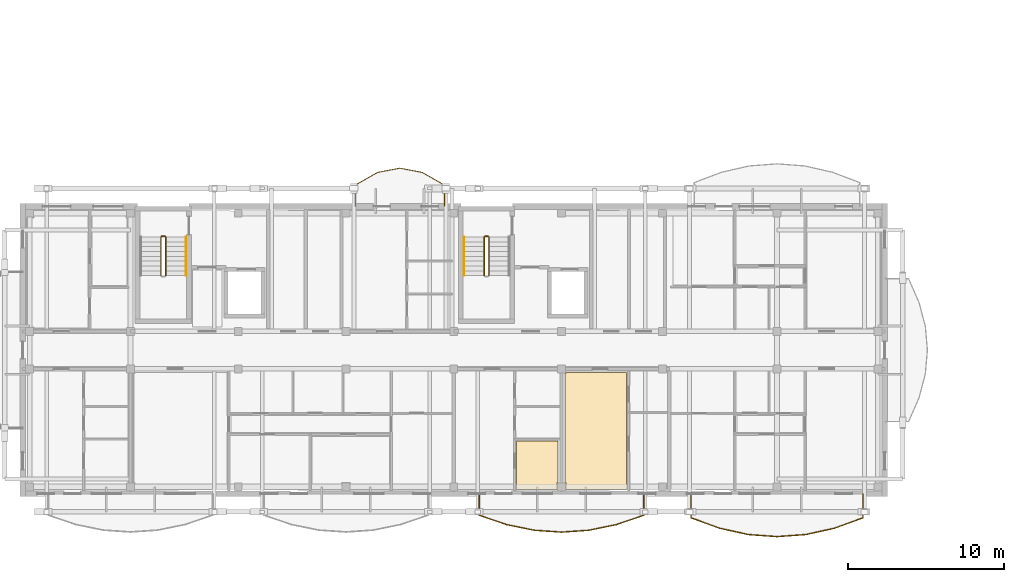
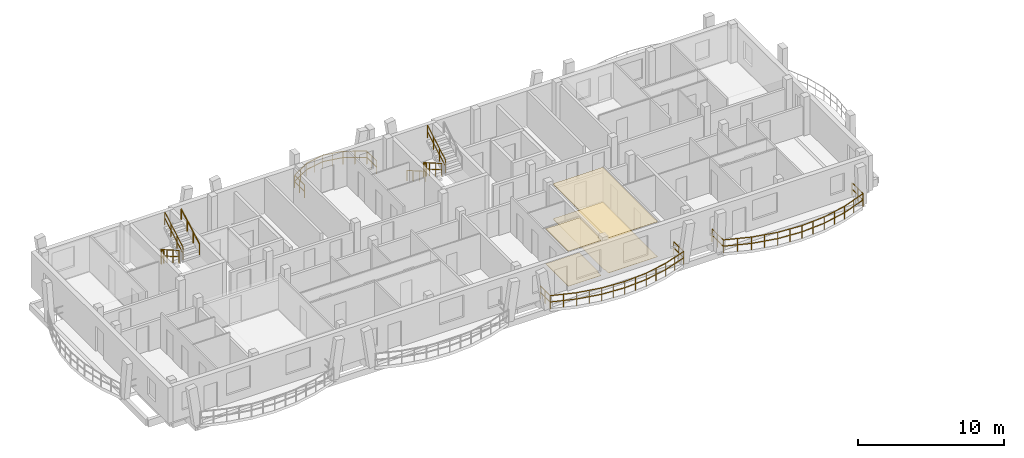
# One storey, part 40 of 52: 11 railings, 4 coverings.
"""IFC4 building model written with IfcOpenShell, lengths in metres."""

from ifc_helpers import new_model, si_unit, direction, frame, origin, origin_2d, place, context, subcontext, project, spatial, polyline, rectangle, outline, extrude, material, layer, layer_set, type_object, element, save


model = new_model("IFC4")

# Units and contexts
model_context = context("Model", 3, precision=1e-05, world=origin(), true_north=direction((0.0, 1.0)))
body_context = subcontext(model_context, "Body", "Model", "MODEL_VIEW")
ifc_project = project(units=[si_unit("LENGTHUNIT", "METRE"), si_unit("AREAUNIT", "SQUARE_METRE"), si_unit("VOLUMEUNIT", "CUBIC_METRE"), si_unit("PLANEANGLEUNIT", "RADIAN"), si_unit("MASSUNIT", "GRAM", prefix="KILO")], contexts=[model_context])

# Site, building, storey
site_placement = place(None, origin())
site = spatial("IfcSite", under=ifc_project, at=site_placement, CompositionType="ELEMENT")
building_placement = place(site_placement, origin())
building = spatial("IfcBuilding", under=site, at=building_placement, Name="Zavelmont Quarter", CompositionType="ELEMENT")
storey_placement = place(building_placement, frame((0.0, 0.0, 14.39990234375)))
storey = spatial("IfcBuildingStorey", under=building, at=storey_placement, Name="L04", CompositionType="ELEMENT", Elevation=14.39990234375)

# Coverings
ifc_material_1 = material(Name="Perforated acoustic gypsum board")
ifc_layer_1 = layer(ifc_material_1, 0.02490234375)
ifc_layer_set_1 = layer_set([ifc_layer_1], Name="Perforated acoustic gypsum board")
covering_type_1 = type_object("IfcCoveringType", Name="CV-CL01", PredefinedType="CEILING", material=ifc_layer_set_1)
covering_1_placement = place(storey_placement, frame((0.0, 0.0, 2.9150390625)))
element("IfcCovering", 1, at=covering_1_placement, inside=storey, type_object=covering_type_1, Name="L04 Single Bedroom acoustic ceiling", PredefinedType="CEILING", context=body_context, shape_type="SweptSolid", body=[
    extrude(outline(polyline([(31.6298828125, 3.3701171875), (34.27001953125, 3.3701171875), (34.27001953125, 0.72998046875), (34.2099609375, 0.72998046875), (34.2099609375, 0.280029296875), (31.6298828125, 0.280029296875), (31.6298828125, 3.3701171875)])), origin(), (0.0, 0.0, 1.0), 0.025146484375),
])
covering_2_placement = place(storey_placement, frame((0.0, 0.0, 2.9150390625)))
element("IfcCovering", 2, at=covering_2_placement, inside=storey, type_object=covering_type_1, Name="L04 Residents Study Lounge acoustic ceiling", PredefinedType="CEILING", context=body_context, shape_type="SweptSolid", body=[
    extrude(outline(polyline([(34.72998046875, 7.7099609375), (34.7900390625, 7.7099609375), (34.7900390625, 7.77001953125), (38.669921875, 7.77001953125), (38.669921875, 0.280029296875), (34.7900390625, 0.280029296875), (34.7900390625, 0.72998046875), (34.72998046875, 0.72998046875), (34.72998046875, 7.7099609375)])), origin(), (0.0, 0.0, 1.0), 0.025146484375),
])
ifc_material_2 = material(Name="Engineered European oak parquet")
ifc_layer_2 = layer(ifc_material_2, 0.02197265625)
ifc_layer_set_2 = layer_set([ifc_layer_2], Name="Engineered European oak parquet")
covering_type_2 = type_object("IfcCoveringType", Name="CV-FL01", PredefinedType="FLOORING", material=ifc_layer_set_2)
covering_3_placement = place(storey_placement, origin())
element("IfcCovering", 3, at=covering_3_placement, inside=storey, type_object=covering_type_2, Name="L04 Single Bedroom floor finish", PredefinedType="FLOORING", context=body_context, shape_type="SweptSolid", body=[
    extrude(outline(polyline([(31.6298828125, 3.3701171875), (34.27001953125, 3.3701171875), (34.27001953125, 0.72998046875), (34.2099609375, 0.72998046875), (34.2099609375, 0.280029296875), (31.6298828125, 0.280029296875), (31.6298828125, 3.3701171875)])), origin(), (0.0, 0.0, 1.0), 0.022216796875),
])
covering_4_placement = place(storey_placement, origin())
element("IfcCovering", 4, at=covering_4_placement, inside=storey, type_object=covering_type_2, Name="L04 Residents Study Lounge floor finish", PredefinedType="FLOORING", context=body_context, shape_type="SweptSolid", body=[
    extrude(outline(polyline([(34.72998046875, 7.7099609375), (34.7900390625, 7.7099609375), (34.7900390625, 7.77001953125), (38.669921875, 7.77001953125), (38.669921875, 0.280029296875), (34.7900390625, 0.280029296875), (34.7900390625, 0.72998046875), (34.72998046875, 0.72998046875), (34.72998046875, 7.7099609375)])), origin(), (0.0, 0.0, 1.0), 0.022216796875),
])

# Railings
ifc_material_3 = material(Name="Powder-coated steel and tempered double safety glass", Category="steel")
railing_type_1 = type_object("IfcRailingType", Name="RL-BAL1", PredefinedType="BALUSTRADE", material=ifc_material_3)
railing_1_placement = place(storey_placement, frame((29.23486328125, -0.02001953125, 0.0)))
element("IfcRailing", 5, at=railing_1_placement, inside=storey, type_object=railing_type_1, Name="L04 Block A curved balcony guard RL-BAL1", PredefinedType="BALUSTRADE", context=body_context, shape_type="SweptSolid", body=[
    extrude(rectangle(XDim=0.048095703125, YDim=0.048095703125, at=origin_2d()), frame((0.0, 0.0, 1.076171875), z_axis=(0.0, -1.0, 0.0), x_axis=(1.0, 0.0, 0.0)), (0.0, 0.0, 1.0), 1.35595703125),
    extrude(rectangle(XDim=0.048095703125, YDim=0.048095703125, at=origin_2d()), frame((0.0, 0.0, 0.550048828125), z_axis=(0.0, -1.0, 0.0), x_axis=(1.0, 0.0, 0.0)), (0.0, 0.0, 1.0), 1.35595703125),
    extrude(rectangle(XDim=0.048095703125, YDim=0.048095703125, at=origin_2d()), frame((0.0, -1.35595703125, 1.076171875), z_axis=(0.946139585989, -0.323758990337, 0.0), x_axis=(0.323758990337, 0.946139585989, 0.0)), (0.0, 0.0, 1.0), 1.85498046875),
    extrude(rectangle(XDim=0.048095703125, YDim=0.048095703125, at=origin_2d()), frame((0.0, -1.35595703125, 0.550048828125), z_axis=(0.946139585989, -0.323758990337, 0.0), x_axis=(0.323758990337, 0.946139585989, 0.0)), (0.0, 0.0, 1.0), 1.85498046875),
    extrude(rectangle(XDim=0.048095703125, YDim=0.048095703125, at=origin_2d()), frame((1.755126953125, -1.95654296875, 1.076171875), z_axis=(0.979561409876, -0.201145331243, 0.0), x_axis=(0.201145331243, 0.979561409876, 0.0)), (0.0, 0.0, 1.0), 1.79150390625),
    extrude(rectangle(XDim=0.048095703125, YDim=0.048095703125, at=origin_2d()), frame((1.755126953125, -1.95654296875, 0.550048828125), z_axis=(0.979561409876, -0.201145331243, 0.0), x_axis=(0.201145331243, 0.979561409876, 0.0)), (0.0, 0.0, 1.0), 1.79150390625),
    extrude(rectangle(XDim=0.048095703125, YDim=0.048095703125, at=origin_2d()), frame((3.510009765625, -2.31689453125, 1.076171875), z_axis=(0.997666322094, -0.068278179228, 0.0), x_axis=(0.068278179228, 0.997666322094, 0.0)), (0.0, 0.0, 1.0), 1.75927734375),
    extrude(rectangle(XDim=0.048095703125, YDim=0.048095703125, at=origin_2d()), frame((3.510009765625, -2.31689453125, 0.550048828125), z_axis=(0.997666322094, -0.068278179228, 0.0), x_axis=(0.068278179228, 0.997666322094, 0.0)), (0.0, 0.0, 1.0), 1.75927734375),
    extrude(rectangle(XDim=0.048095703125, YDim=0.048095703125, at=origin_2d()), frame((5.26513671875, -2.43701171875, 1.076171875), z_axis=(0.997666322094, 0.068278179228, 0.0), x_axis=(-0.068278179228, 0.997666322094, 0.0)), (0.0, 0.0, 1.0), 1.75927734375),
    extrude(rectangle(XDim=0.048095703125, YDim=0.048095703125, at=origin_2d()), frame((5.26513671875, -2.43701171875, 0.550048828125), z_axis=(0.997666322094, 0.068278179228, 0.0), x_axis=(-0.068278179228, 0.997666322094, 0.0)), (0.0, 0.0, 1.0), 1.75927734375),
    extrude(rectangle(XDim=0.048095703125, YDim=0.048095703125, at=origin_2d()), frame((7.020263671875, -2.31689453125, 1.076171875), z_axis=(0.979561409876, 0.201145331243, 0.0), x_axis=(-0.201145331243, 0.979561409876, 0.0)), (0.0, 0.0, 1.0), 1.79150390625),
    extrude(rectangle(XDim=0.048095703125, YDim=0.048095703125, at=origin_2d()), frame((7.020263671875, -2.31689453125, 0.550048828125), z_axis=(0.979561409876, 0.201145331243, 0.0), x_axis=(-0.201145331243, 0.979561409876, 0.0)), (0.0, 0.0, 1.0), 1.79150390625),
    extrude(rectangle(XDim=0.048095703125, YDim=0.048095703125, at=origin_2d()), frame((8.775146484375, -1.95654296875, 1.076171875), z_axis=(0.946139585989, 0.323758990337, 0.0), x_axis=(-0.323758990337, 0.946139585989, 0.0)), (0.0, 0.0, 1.0), 1.85498046875),
    extrude(rectangle(XDim=0.048095703125, YDim=0.048095703125, at=origin_2d()), frame((8.775146484375, -1.95654296875, 0.550048828125), z_axis=(0.946139585989, 0.323758990337, 0.0), x_axis=(-0.323758990337, 0.946139585989, 0.0)), (0.0, 0.0, 1.0), 1.85498046875),
    extrude(rectangle(XDim=0.048095703125, YDim=0.048095703125, at=origin_2d()), frame((10.5302734375, -1.35595703125, 1.076171875), z_axis=(0.0, 1.0, 0.0), x_axis=(-1.0, 0.0, 0.0)), (0.0, 0.0, 1.0), 1.35595703125),
    extrude(rectangle(XDim=0.048095703125, YDim=0.048095703125, at=origin_2d()), frame((10.5302734375, -1.35595703125, 0.550048828125), z_axis=(0.0, 1.0, 0.0), x_axis=(-1.0, 0.0, 0.0)), (0.0, 0.0, 1.0), 1.35595703125),
    extrude(rectangle(XDim=0.0419921875, YDim=0.0419921875, at=origin_2d()), origin(), (0.0, 0.0, 1.0), 1.052001953125),
    extrude(rectangle(XDim=0.0419921875, YDim=0.0419921875, at=origin_2d()), frame((0.0, -0.677978515625, 0.0)), (0.0, 0.0, 1.0), 1.052001953125),
    extrude(rectangle(XDim=0.0419921875, YDim=0.0419921875, at=origin_2d()), frame((0.0, -1.35595703125, 0.0)), (0.0, 0.0, 1.0), 1.052001953125),
    extrude(rectangle(XDim=0.0419921875, YDim=0.0419921875, at=origin_2d()), frame((0.87744140625, -1.65625, 0.0)), (0.0, 0.0, 1.0), 1.052001953125),
    extrude(rectangle(XDim=0.0419921875, YDim=0.0419921875, at=origin_2d()), frame((1.755126953125, -1.95654296875, 0.0)), (0.0, 0.0, 1.0), 1.052001953125),
    extrude(rectangle(XDim=0.0419921875, YDim=0.0419921875, at=origin_2d()), frame((2.632568359375, -2.13671875, 0.0)), (0.0, 0.0, 1.0), 1.052001953125),
    extrude(rectangle(XDim=0.0419921875, YDim=0.0419921875, at=origin_2d()), frame((3.510009765625, -2.31689453125, 0.0)), (0.0, 0.0, 1.0), 1.052001953125),
    extrude(rectangle(XDim=0.0419921875, YDim=0.0419921875, at=origin_2d()), frame((4.3876953125, -2.376953125, 0.0)), (0.0, 0.0, 1.0), 1.052001953125),
    extrude(rectangle(XDim=0.0419921875, YDim=0.0419921875, at=origin_2d()), frame((5.26513671875, -2.43701171875, 0.0)), (0.0, 0.0, 1.0), 1.052001953125),
    extrude(rectangle(XDim=0.0419921875, YDim=0.0419921875, at=origin_2d()), frame((6.142578125, -2.376953125, 0.0)), (0.0, 0.0, 1.0), 1.052001953125),
    extrude(rectangle(XDim=0.0419921875, YDim=0.0419921875, at=origin_2d()), frame((7.020263671875, -2.31689453125, 0.0)), (0.0, 0.0, 1.0), 1.052001953125),
    extrude(rectangle(XDim=0.0419921875, YDim=0.0419921875, at=origin_2d()), frame((7.897705078125, -2.13671875, 0.0)), (0.0, 0.0, 1.0), 1.052001953125),
    extrude(rectangle(XDim=0.0419921875, YDim=0.0419921875, at=origin_2d()), frame((8.775146484375, -1.95654296875, 0.0)), (0.0, 0.0, 1.0), 1.052001953125),
    extrude(rectangle(XDim=0.0419921875, YDim=0.0419921875, at=origin_2d()), frame((9.65283203125, -1.65625, 0.0)), (0.0, 0.0, 1.0), 1.052001953125),
    extrude(rectangle(XDim=0.0419921875, YDim=0.0419921875, at=origin_2d()), frame((10.5302734375, -1.35595703125, 0.0)), (0.0, 0.0, 1.0), 1.052001953125),
    extrude(rectangle(XDim=0.0419921875, YDim=0.0419921875, at=origin_2d()), frame((10.5302734375, -0.677978515625, 0.0)), (0.0, 0.0, 1.0), 1.052001953125),
    extrude(rectangle(XDim=0.0419921875, YDim=0.0419921875, at=origin_2d()), frame((10.5302734375, 0.0, 0.0)), (0.0, 0.0, 1.0), 1.052001953125),
])
railing_2_placement = place(storey_placement, frame((42.791015625, -0.02001953125, 0.0)))
element("IfcRailing", 6, at=railing_2_placement, inside=storey, type_object=railing_type_1, Name="L04 Block A curved balcony guard RL-BAL1", PredefinedType="BALUSTRADE", context=body_context, shape_type="SweptSolid", body=[
    extrude(rectangle(XDim=0.048095703125, YDim=0.048095703125, at=origin_2d()), frame((0.0, 0.0, 1.076171875), z_axis=(0.0, -1.0, 0.0), x_axis=(1.0, 0.0, 0.0)), (0.0, 0.0, 1.0), 1.51708984375),
    extrude(rectangle(XDim=0.048095703125, YDim=0.048095703125, at=origin_2d()), frame((0.0, 0.0, 0.550048828125), z_axis=(0.0, -1.0, 0.0), x_axis=(1.0, 0.0, 0.0)), (0.0, 0.0, 1.0), 1.51708984375),
    extrude(rectangle(XDim=0.048095703125, YDim=0.048095703125, at=origin_2d()), frame((0.0, -1.51708984375, 1.076171875), z_axis=(0.939226985317, -0.343296766738, 0.0), x_axis=(0.343296766738, 0.939226985317, 0.0)), (0.0, 0.0, 1.0), 1.955078125),
    extrude(rectangle(XDim=0.048095703125, YDim=0.048095703125, at=origin_2d()), frame((0.0, -1.51708984375, 0.550048828125), z_axis=(0.939226985317, -0.343296766738, 0.0), x_axis=(0.343296766738, 0.939226985317, 0.0)), (0.0, 0.0, 1.0), 1.955078125),
    extrude(rectangle(XDim=0.048095703125, YDim=0.048095703125, at=origin_2d()), frame((1.836181640625, -2.188232421875, 1.076171875), z_axis=(0.976803339905, -0.214138355159, 0.0), x_axis=(0.214138355159, 0.976803339905, 0.0)), (0.0, 0.0, 1.0), 1.880126953125),
    extrude(rectangle(XDim=0.048095703125, YDim=0.048095703125, at=origin_2d()), frame((1.836181640625, -2.188232421875, 0.550048828125), z_axis=(0.976803339905, -0.214138355159, 0.0), x_axis=(0.214138355159, 0.976803339905, 0.0)), (0.0, 0.0, 1.0), 1.880126953125),
    extrude(rectangle(XDim=0.048095703125, YDim=0.048095703125, at=origin_2d()), frame((3.672607421875, -2.5908203125, 1.076171875), z_axis=(0.997337488116, -0.072924171559, 0.0), x_axis=(0.072924171559, 0.997337488116, 0.0)), (0.0, 0.0, 1.0), 1.84130859375),
    extrude(rectangle(XDim=0.048095703125, YDim=0.048095703125, at=origin_2d()), frame((3.672607421875, -2.5908203125, 0.550048828125), z_axis=(0.997337488116, -0.072924171559, 0.0), x_axis=(0.072924171559, 0.997337488116, 0.0)), (0.0, 0.0, 1.0), 1.84130859375),
    extrude(rectangle(XDim=0.048095703125, YDim=0.048095703125, at=origin_2d()), frame((5.509033203125, -2.72509765625, 1.076171875), z_axis=(0.997336782875, 0.072933816059, 0.0), x_axis=(-0.072933816059, 0.997336782875, 0.0)), (0.0, 0.0, 1.0), 1.841064453125),
    extrude(rectangle(XDim=0.048095703125, YDim=0.048095703125, at=origin_2d()), frame((5.509033203125, -2.72509765625, 0.550048828125), z_axis=(0.997336782875, 0.072933816059, 0.0), x_axis=(-0.072933816059, 0.997336782875, 0.0)), (0.0, 0.0, 1.0), 1.841064453125),
    extrude(rectangle(XDim=0.048095703125, YDim=0.048095703125, at=origin_2d()), frame((7.34521484375, -2.5908203125, 1.076171875), z_axis=(0.976803339905, 0.214138355159, 0.0), x_axis=(-0.214138355159, 0.976803339905, 0.0)), (0.0, 0.0, 1.0), 1.880126953125),
    extrude(rectangle(XDim=0.048095703125, YDim=0.048095703125, at=origin_2d()), frame((7.34521484375, -2.5908203125, 0.550048828125), z_axis=(0.976803339905, 0.214138355159, 0.0), x_axis=(-0.214138355159, 0.976803339905, 0.0)), (0.0, 0.0, 1.0), 1.880126953125),
    extrude(rectangle(XDim=0.048095703125, YDim=0.048095703125, at=origin_2d()), frame((9.181640625, -2.188232421875, 1.076171875), z_axis=(0.93924170024, 0.343256505445, 0.0), x_axis=(-0.343256505445, 0.93924170024, 0.0)), (0.0, 0.0, 1.0), 1.955322265625),
    extrude(rectangle(XDim=0.048095703125, YDim=0.048095703125, at=origin_2d()), frame((9.181640625, -2.188232421875, 0.550048828125), z_axis=(0.93924170024, 0.343256505445, 0.0), x_axis=(-0.343256505445, 0.93924170024, 0.0)), (0.0, 0.0, 1.0), 1.955322265625),
    extrude(rectangle(XDim=0.048095703125, YDim=0.048095703125, at=origin_2d()), frame((11.01806640625, -1.51708984375, 1.076171875), z_axis=(0.0, 1.0, 0.0), x_axis=(-1.0, 0.0, 0.0)), (0.0, 0.0, 1.0), 1.51708984375),
    extrude(rectangle(XDim=0.048095703125, YDim=0.048095703125, at=origin_2d()), frame((11.01806640625, -1.51708984375, 0.550048828125), z_axis=(0.0, 1.0, 0.0), x_axis=(-1.0, 0.0, 0.0)), (0.0, 0.0, 1.0), 1.51708984375),
    extrude(rectangle(XDim=0.0419921875, YDim=0.0419921875, at=origin_2d()), origin(), (0.0, 0.0, 1.0), 1.052001953125),
    extrude(rectangle(XDim=0.0419921875, YDim=0.0419921875, at=origin_2d()), frame((0.0, -0.758544921875, 0.0)), (0.0, 0.0, 1.0), 1.052001953125),
    extrude(rectangle(XDim=0.0419921875, YDim=0.0419921875, at=origin_2d()), frame((0.0, -1.51708984375, 0.0)), (0.0, 0.0, 1.0), 1.052001953125),
    extrude(rectangle(XDim=0.0419921875, YDim=0.0419921875, at=origin_2d()), frame((0.91796875, -1.8525390625, 0.0)), (0.0, 0.0, 1.0), 1.052001953125),
    extrude(rectangle(XDim=0.0419921875, YDim=0.0419921875, at=origin_2d()), frame((1.836181640625, -2.188232421875, 0.0)), (0.0, 0.0, 1.0), 1.052001953125),
    extrude(rectangle(XDim=0.0419921875, YDim=0.0419921875, at=origin_2d()), frame((2.75439453125, -2.3896484375, 0.0)), (0.0, 0.0, 1.0), 1.052001953125),
    extrude(rectangle(XDim=0.0419921875, YDim=0.0419921875, at=origin_2d()), frame((3.672607421875, -2.5908203125, 0.0)), (0.0, 0.0, 1.0), 1.052001953125),
    extrude(rectangle(XDim=0.0419921875, YDim=0.0419921875, at=origin_2d()), frame((4.5908203125, -2.657958984375, 0.0)), (0.0, 0.0, 1.0), 1.052001953125),
    extrude(rectangle(XDim=0.0419921875, YDim=0.0419921875, at=origin_2d()), frame((5.509033203125, -2.72509765625, 0.0)), (0.0, 0.0, 1.0), 1.052001953125),
    extrude(rectangle(XDim=0.0419921875, YDim=0.0419921875, at=origin_2d()), frame((6.42724609375, -2.657958984375, 0.0)), (0.0, 0.0, 1.0), 1.052001953125),
    extrude(rectangle(XDim=0.0419921875, YDim=0.0419921875, at=origin_2d()), frame((7.34521484375, -2.5908203125, 0.0)), (0.0, 0.0, 1.0), 1.052001953125),
    extrude(rectangle(XDim=0.0419921875, YDim=0.0419921875, at=origin_2d()), frame((8.263427734375, -2.3896484375, 0.0)), (0.0, 0.0, 1.0), 1.052001953125),
    extrude(rectangle(XDim=0.0419921875, YDim=0.0419921875, at=origin_2d()), frame((9.181640625, -2.188232421875, 0.0)), (0.0, 0.0, 1.0), 1.052001953125),
    extrude(rectangle(XDim=0.0419921875, YDim=0.0419921875, at=origin_2d()), frame((10.099853515625, -1.8525390625, 0.0)), (0.0, 0.0, 1.0), 1.052001953125),
    extrude(rectangle(XDim=0.0419921875, YDim=0.0419921875, at=origin_2d()), frame((11.01806640625, -1.51708984375, 0.0)), (0.0, 0.0, 1.0), 1.052001953125),
    extrude(rectangle(XDim=0.0419921875, YDim=0.0419921875, at=origin_2d()), frame((11.01806640625, -0.758544921875, 0.0)), (0.0, 0.0, 1.0), 1.052001953125),
    extrude(rectangle(XDim=0.0419921875, YDim=0.0419921875, at=origin_2d()), frame((11.01806640625, 0.0, 0.0)), (0.0, 0.0, 1.0), 1.052001953125),
])
railing_3_placement = place(storey_placement, frame((27.0, 18.419921875, 0.0)))
element("IfcRailing", 7, at=railing_3_placement, inside=storey, type_object=railing_type_1, Name="L04 Block A curved balcony guard RL-BAL1", PredefinedType="BALUSTRADE", context=body_context, shape_type="SweptSolid", body=[
    extrude(rectangle(XDim=0.048095703125, YDim=0.048095703125, at=origin_2d()), frame((0.0, 0.0, 1.076171875), z_axis=(0.0, 1.0, 0.0), x_axis=(-1.0, 0.0, 0.0)), (0.0, 0.0, 1.0), 1.35595703125),
    extrude(rectangle(XDim=0.048095703125, YDim=0.048095703125, at=origin_2d()), frame((0.0, 0.0, 0.550048828125), z_axis=(0.0, 1.0, 0.0), x_axis=(-1.0, 0.0, 0.0)), (0.0, 0.0, 1.0), 1.35595703125),
    extrude(rectangle(XDim=0.048095703125, YDim=0.048095703125, at=origin_2d()), frame((0.0, 1.35595703125, 1.076171875), z_axis=(-0.869167142524, 0.494518430756, 0.0), x_axis=(-0.494518430756, -0.869167142524, 0.0)), (0.0, 0.0, 1.0), 1.6396484375),
    extrude(rectangle(XDim=0.048095703125, YDim=0.048095703125, at=origin_2d()), frame((0.0, 1.35595703125, 0.550048828125), z_axis=(-0.869167142524, 0.494518430756, 0.0), x_axis=(-0.494518430756, -0.869167142524, 0.0)), (0.0, 0.0, 1.0), 1.6396484375),
    extrude(rectangle(XDim=0.048095703125, YDim=0.048095703125, at=origin_2d()), frame((-1.425048828125, 2.166748046875, 1.076171875), z_axis=(-0.982487055587, 0.186330849843, 0.0), x_axis=(-0.186330849843, -0.982487055587, 0.0)), (0.0, 0.0, 1.0), 1.450439453125),
    extrude(rectangle(XDim=0.048095703125, YDim=0.048095703125, at=origin_2d()), frame((-1.425048828125, 2.166748046875, 0.550048828125), z_axis=(-0.982487055587, 0.186330849843, 0.0), x_axis=(-0.186330849843, -0.982487055587, 0.0)), (0.0, 0.0, 1.0), 1.450439453125),
    extrude(rectangle(XDim=0.048095703125, YDim=0.048095703125, at=origin_2d()), frame((-2.85009765625, 2.43701171875, 1.076171875), z_axis=(-0.982481210185, -0.186361668896, 0.0), x_axis=(0.186361668896, -0.982481210185, 0.0)), (0.0, 0.0, 1.0), 1.4501953125),
    extrude(rectangle(XDim=0.048095703125, YDim=0.048095703125, at=origin_2d()), frame((-2.85009765625, 2.43701171875, 0.550048828125), z_axis=(-0.982481210185, -0.186361668896, 0.0), x_axis=(0.186361668896, -0.982481210185, 0.0)), (0.0, 0.0, 1.0), 1.4501953125),
    extrude(rectangle(XDim=0.048095703125, YDim=0.048095703125, at=origin_2d()), frame((-4.27490234375, 2.166748046875, 1.076171875), z_axis=(-0.869167142524, -0.494518430756, 0.0), x_axis=(0.494518430756, -0.869167142524, 0.0)), (0.0, 0.0, 1.0), 1.6396484375),
    extrude(rectangle(XDim=0.048095703125, YDim=0.048095703125, at=origin_2d()), frame((-4.27490234375, 2.166748046875, 0.550048828125), z_axis=(-0.869167142524, -0.494518430756, 0.0), x_axis=(0.494518430756, -0.869167142524, 0.0)), (0.0, 0.0, 1.0), 1.6396484375),
    extrude(rectangle(XDim=0.048095703125, YDim=0.048095703125, at=origin_2d()), frame((-5.699951171875, 1.35595703125, 1.076171875), z_axis=(0.0, -1.0, 0.0), x_axis=(1.0, 0.0, 0.0)), (0.0, 0.0, 1.0), 1.35595703125),
    extrude(rectangle(XDim=0.048095703125, YDim=0.048095703125, at=origin_2d()), frame((-5.699951171875, 1.35595703125, 0.550048828125), z_axis=(0.0, -1.0, 0.0), x_axis=(1.0, 0.0, 0.0)), (0.0, 0.0, 1.0), 1.35595703125),
    extrude(rectangle(XDim=0.0419921875, YDim=0.0419921875, at=origin_2d()), origin(), (0.0, 0.0, 1.0), 1.052001953125),
    extrude(rectangle(XDim=0.0419921875, YDim=0.0419921875, at=origin_2d()), frame((0.0, 0.677978515625, 0.0)), (0.0, 0.0, 1.0), 1.052001953125),
    extrude(rectangle(XDim=0.0419921875, YDim=0.0419921875, at=origin_2d()), frame((0.0, 1.35595703125, 0.0)), (0.0, 0.0, 1.0), 1.052001953125),
    extrude(rectangle(XDim=0.0419921875, YDim=0.0419921875, at=origin_2d()), frame((-0.71240234375, 1.76123046875, 0.0)), (0.0, 0.0, 1.0), 1.052001953125),
    extrude(rectangle(XDim=0.0419921875, YDim=0.0419921875, at=origin_2d()), frame((-1.425048828125, 2.166748046875, 0.0)), (0.0, 0.0, 1.0), 1.052001953125),
    extrude(rectangle(XDim=0.0419921875, YDim=0.0419921875, at=origin_2d()), frame((-2.1376953125, 2.3017578125, 0.0)), (0.0, 0.0, 1.0), 1.052001953125),
    extrude(rectangle(XDim=0.0419921875, YDim=0.0419921875, at=origin_2d()), frame((-2.85009765625, 2.43701171875, 0.0)), (0.0, 0.0, 1.0), 1.052001953125),
    extrude(rectangle(XDim=0.0419921875, YDim=0.0419921875, at=origin_2d()), frame((-3.5625, 2.3017578125, 0.0)), (0.0, 0.0, 1.0), 1.052001953125),
    extrude(rectangle(XDim=0.0419921875, YDim=0.0419921875, at=origin_2d()), frame((-4.27490234375, 2.166748046875, 0.0)), (0.0, 0.0, 1.0), 1.052001953125),
    extrude(rectangle(XDim=0.0419921875, YDim=0.0419921875, at=origin_2d()), frame((-4.9873046875, 1.76123046875, 0.0)), (0.0, 0.0, 1.0), 1.052001953125),
    extrude(rectangle(XDim=0.0419921875, YDim=0.0419921875, at=origin_2d()), frame((-5.699951171875, 1.35595703125, 0.0)), (0.0, 0.0, 1.0), 1.052001953125),
    extrude(rectangle(XDim=0.0419921875, YDim=0.0419921875, at=origin_2d()), frame((-5.699951171875, 0.677978515625, 0.0)), (0.0, 0.0, 1.0), 1.052001953125),
    extrude(rectangle(XDim=0.0419921875, YDim=0.0419921875, at=origin_2d()), frame((-5.699951171875, 0.0, 0.0)), (0.0, 0.0, 1.0), 1.052001953125),
])
ifc_material_4 = material(Name="Powder-coated steel stair guardrail", Category="steel")
railing_type_2 = type_object("IfcRailingType", Name="RL-GRD1", PredefinedType="GUARDRAIL", material=ifc_material_4)
railing_4_placement = place(storey_placement, frame((8.85009765625, 16.449951171875, 0.177978515625)))
element("IfcRailing", 8, at=railing_4_placement, inside=storey, type_object=railing_type_2, Name="L04 ST01 stair guardrail 1", PredefinedType="GUARDRAIL", context=body_context, shape_type="SweptSolid", body=[
    extrude(rectangle(XDim=0.048095703125, YDim=0.048095703125, at=origin_2d()), frame((0.0, 0.0, 1.076171875), z_axis=(0.0, -0.867490628297, 0.497453525283), x_axis=(1.0, 0.0, 0.0)), (0.0, 0.0, 1.0), 2.85888671875),
    extrude(rectangle(XDim=0.048095703125, YDim=0.048095703125, at=origin_2d()), frame((0.0, 0.0, 0.550048828125), z_axis=(0.0, -0.867490628297, 0.497453525283), x_axis=(1.0, 0.0, 0.0)), (0.0, 0.0, 1.0), 2.85888671875),
    extrude(rectangle(XDim=0.0419921875, YDim=0.0419921875, at=origin_2d()), origin(), (0.0, 0.0, 1.0), 1.052001953125),
    extrude(rectangle(XDim=0.0419921875, YDim=0.0419921875, at=origin_2d()), frame((0.0, -0.82666015625, 0.47412109375)), (0.0, 0.0, 1.0), 1.052001953125),
    extrude(rectangle(XDim=0.0419921875, YDim=0.0419921875, at=origin_2d()), frame((0.0, -1.6533203125, 0.947998046875)), (0.0, 0.0, 1.0), 1.052001953125),
    extrude(rectangle(XDim=0.0419921875, YDim=0.0419921875, at=origin_2d()), frame((0.0, -2.47998046875, 1.422119140625)), (0.0, 0.0, 1.0), 1.052001953125),
])
railing_5_placement = place(storey_placement, frame((9.14990234375, 13.969970703125, 1.77783203125)))
element("IfcRailing", 9, at=railing_5_placement, inside=storey, type_object=railing_type_2, Name="L04 ST01 stair guardrail 3", PredefinedType="GUARDRAIL", context=body_context, shape_type="SweptSolid", body=[
    extrude(rectangle(XDim=0.048095703125, YDim=0.048095703125, at=origin_2d()), frame((0.0, 0.0, 1.076171875), z_axis=(0.0, 0.867453774394, 0.497517787913), x_axis=(-1.0, 0.0, 0.0)), (0.0, 0.0, 1.0), 2.85888671875),
    extrude(rectangle(XDim=0.048095703125, YDim=0.048095703125, at=origin_2d()), frame((0.0, 0.0, 0.550048828125), z_axis=(0.0, 0.867453774394, 0.497517787913), x_axis=(-1.0, 0.0, 0.0)), (0.0, 0.0, 1.0), 2.85888671875),
    extrude(rectangle(XDim=0.0419921875, YDim=0.0419921875, at=origin_2d()), origin(), (0.0, 0.0, 1.0), 1.052001953125),
    extrude(rectangle(XDim=0.0419921875, YDim=0.0419921875, at=origin_2d()), frame((0.0, 0.82666015625, 0.47412109375)), (0.0, 0.0, 1.0), 1.052001953125),
    extrude(rectangle(XDim=0.0419921875, YDim=0.0419921875, at=origin_2d()), frame((0.0, 1.6533203125, 0.9482421875)), (0.0, 0.0, 1.0), 1.052001953125),
    extrude(rectangle(XDim=0.0419921875, YDim=0.0419921875, at=origin_2d()), frame((0.0, 2.47998046875, 1.42236328125)), (0.0, 0.0, 1.0), 1.052001953125),
])
railing_6_placement = place(storey_placement, frame((8.89990234375, 16.5, 0.0)))
element("IfcRailing", 10, at=railing_6_placement, inside=storey, type_object=railing_type_2, Name="L04 ST01 stair guardrail 4", PredefinedType="GUARDRAIL", context=body_context, shape_type="SweptSolid", body=[
    extrude(rectangle(XDim=0.048095703125, YDim=0.048095703125, at=origin_2d()), frame((0.0, 0.0, 1.076171875), z_axis=(1.0, 0.0, 0.0), x_axis=(0.0, 1.0, 0.0)), (0.0, 0.0, 1.0), 0.2001953125),
    extrude(rectangle(XDim=0.048095703125, YDim=0.048095703125, at=origin_2d()), frame((0.0, 0.0, 0.550048828125), z_axis=(1.0, 0.0, 0.0), x_axis=(0.0, 1.0, 0.0)), (0.0, 0.0, 1.0), 0.2001953125),
    extrude(rectangle(XDim=0.0419921875, YDim=0.0419921875, at=origin_2d()), origin(), (0.0, 0.0, 1.0), 1.052001953125),
    extrude(rectangle(XDim=0.0419921875, YDim=0.0419921875, at=origin_2d()), frame((0.2001953125, 0.0, 0.0)), (0.0, 0.0, 1.0), 1.052001953125),
])
railing_7_placement = place(storey_placement, frame((29.550048828125, 16.449951171875, 0.177978515625)))
element("IfcRailing", 11, at=railing_7_placement, inside=storey, type_object=railing_type_2, Name="L04 ST02 stair guardrail 1", PredefinedType="GUARDRAIL", context=body_context, shape_type="SweptSolid", body=[
    extrude(rectangle(XDim=0.048095703125, YDim=0.048095703125, at=origin_2d()), frame((0.0, 0.0, 1.076171875), z_axis=(0.0, -0.867490628297, 0.497453525283), x_axis=(1.0, 0.0, 0.0)), (0.0, 0.0, 1.0), 2.85888671875),
    extrude(rectangle(XDim=0.048095703125, YDim=0.048095703125, at=origin_2d()), frame((0.0, 0.0, 0.550048828125), z_axis=(0.0, -0.867490628297, 0.497453525283), x_axis=(1.0, 0.0, 0.0)), (0.0, 0.0, 1.0), 2.85888671875),
    extrude(rectangle(XDim=0.0419921875, YDim=0.0419921875, at=origin_2d()), origin(), (0.0, 0.0, 1.0), 1.052001953125),
    extrude(rectangle(XDim=0.0419921875, YDim=0.0419921875, at=origin_2d()), frame((0.0, -0.82666015625, 0.47412109375)), (0.0, 0.0, 1.0), 1.052001953125),
    extrude(rectangle(XDim=0.0419921875, YDim=0.0419921875, at=origin_2d()), frame((0.0, -1.6533203125, 0.947998046875)), (0.0, 0.0, 1.0), 1.052001953125),
    extrude(rectangle(XDim=0.0419921875, YDim=0.0419921875, at=origin_2d()), frame((0.0, -2.47998046875, 1.422119140625)), (0.0, 0.0, 1.0), 1.052001953125),
])
railing_8_placement = place(storey_placement, frame((29.85009765625, 13.969970703125, 1.77783203125)))
element("IfcRailing", 12, at=railing_8_placement, inside=storey, type_object=railing_type_2, Name="L04 ST02 stair guardrail 3", PredefinedType="GUARDRAIL", context=body_context, shape_type="SweptSolid", body=[
    extrude(rectangle(XDim=0.048095703125, YDim=0.048095703125, at=origin_2d()), frame((0.0, 0.0, 1.076171875), z_axis=(0.0, 0.867453774394, 0.497517787913), x_axis=(-1.0, 0.0, 0.0)), (0.0, 0.0, 1.0), 2.85888671875),
    extrude(rectangle(XDim=0.048095703125, YDim=0.048095703125, at=origin_2d()), frame((0.0, 0.0, 0.550048828125), z_axis=(0.0, 0.867453774394, 0.497517787913), x_axis=(-1.0, 0.0, 0.0)), (0.0, 0.0, 1.0), 2.85888671875),
    extrude(rectangle(XDim=0.0419921875, YDim=0.0419921875, at=origin_2d()), origin(), (0.0, 0.0, 1.0), 1.052001953125),
    extrude(rectangle(XDim=0.0419921875, YDim=0.0419921875, at=origin_2d()), frame((0.0, 0.82666015625, 0.47412109375)), (0.0, 0.0, 1.0), 1.052001953125),
    extrude(rectangle(XDim=0.0419921875, YDim=0.0419921875, at=origin_2d()), frame((0.0, 1.6533203125, 0.9482421875)), (0.0, 0.0, 1.0), 1.052001953125),
    extrude(rectangle(XDim=0.0419921875, YDim=0.0419921875, at=origin_2d()), frame((0.0, 2.47998046875, 1.42236328125)), (0.0, 0.0, 1.0), 1.052001953125),
])
railing_9_placement = place(storey_placement, frame((29.60009765625, 16.5, 0.0)))
element("IfcRailing", 13, at=railing_9_placement, inside=storey, type_object=railing_type_2, Name="L04 ST02 stair guardrail 4", PredefinedType="GUARDRAIL", context=body_context, shape_type="SweptSolid", body=[
    extrude(rectangle(XDim=0.048095703125, YDim=0.048095703125, at=origin_2d()), frame((0.0, 0.0, 1.076171875), z_axis=(1.0, 0.0, 0.0), x_axis=(0.0, 1.0, 0.0)), (0.0, 0.0, 1.0), 0.199951171875),
    extrude(rectangle(XDim=0.048095703125, YDim=0.048095703125, at=origin_2d()), frame((0.0, 0.0, 0.550048828125), z_axis=(1.0, 0.0, 0.0), x_axis=(0.0, 1.0, 0.0)), (0.0, 0.0, 1.0), 0.199951171875),
    extrude(rectangle(XDim=0.0419921875, YDim=0.0419921875, at=origin_2d()), origin(), (0.0, 0.0, 1.0), 1.052001953125),
    extrude(rectangle(XDim=0.0419921875, YDim=0.0419921875, at=origin_2d()), frame((0.199951171875, 0.0, 0.0)), (0.0, 0.0, 1.0), 1.052001953125),
])
ifc_material_5 = material(Name="Brushed stainless-steel wall handrail", Category="steel")
railing_type_3 = type_object("IfcRailingType", Name="RL-HND1", PredefinedType="HANDRAIL", material=ifc_material_5)
railing_10_placement = place(storey_placement, frame((10.449951171875, 13.969970703125, 1.77783203125)))
element("IfcRailing", 14, at=railing_10_placement, inside=storey, type_object=railing_type_3, Name="L04 ST01 stair handrail 2", PredefinedType="HANDRAIL", context=body_context, shape_type="SweptSolid", body=[
    extrude(rectangle(XDim=0.048095703125, YDim=0.048095703125, at=origin_2d()), frame((0.0, 0.0, 0.8759765625), z_axis=(0.0, 0.867453774394, 0.497517787913), x_axis=(-1.0, 0.0, 0.0)), (0.0, 0.0, 1.0), 2.85888671875),
    extrude(rectangle(XDim=0.0419921875, YDim=0.0419921875, at=origin_2d()), origin(), (0.0, 0.0, 1.0), 0.851806640625),
    extrude(rectangle(XDim=0.0419921875, YDim=0.0419921875, at=origin_2d()), frame((0.0, 0.82666015625, 0.47412109375)), (0.0, 0.0, 1.0), 0.851806640625),
    extrude(rectangle(XDim=0.0419921875, YDim=0.0419921875, at=origin_2d()), frame((0.0, 1.6533203125, 0.9482421875)), (0.0, 0.0, 1.0), 0.851806640625),
    extrude(rectangle(XDim=0.0419921875, YDim=0.0419921875, at=origin_2d()), frame((0.0, 2.47998046875, 1.42236328125)), (0.0, 0.0, 1.0), 0.851806640625),
])
railing_11_placement = place(storey_placement, frame((28.25, 16.449951171875, 0.177978515625)))
element("IfcRailing", 15, at=railing_11_placement, inside=storey, type_object=railing_type_3, Name="L04 ST02 stair handrail 1", PredefinedType="HANDRAIL", context=body_context, shape_type="SweptSolid", body=[
    extrude(rectangle(XDim=0.048095703125, YDim=0.048095703125, at=origin_2d()), frame((0.0, 0.0, 0.8759765625), z_axis=(0.0, -0.867490628297, 0.497453525283), x_axis=(1.0, 0.0, 0.0)), (0.0, 0.0, 1.0), 2.85888671875),
    extrude(rectangle(XDim=0.0419921875, YDim=0.0419921875, at=origin_2d()), origin(), (0.0, 0.0, 1.0), 0.851806640625),
    extrude(rectangle(XDim=0.0419921875, YDim=0.0419921875, at=origin_2d()), frame((0.0, -0.82666015625, 0.47412109375)), (0.0, 0.0, 1.0), 0.851806640625),
    extrude(rectangle(XDim=0.0419921875, YDim=0.0419921875, at=origin_2d()), frame((0.0, -1.6533203125, 0.947998046875)), (0.0, 0.0, 1.0), 0.851806640625),
    extrude(rectangle(XDim=0.0419921875, YDim=0.0419921875, at=origin_2d()), frame((0.0, -2.47998046875, 1.422119140625)), (0.0, 0.0, 1.0), 0.851806640625),
])

save(model, "model.ifc")
